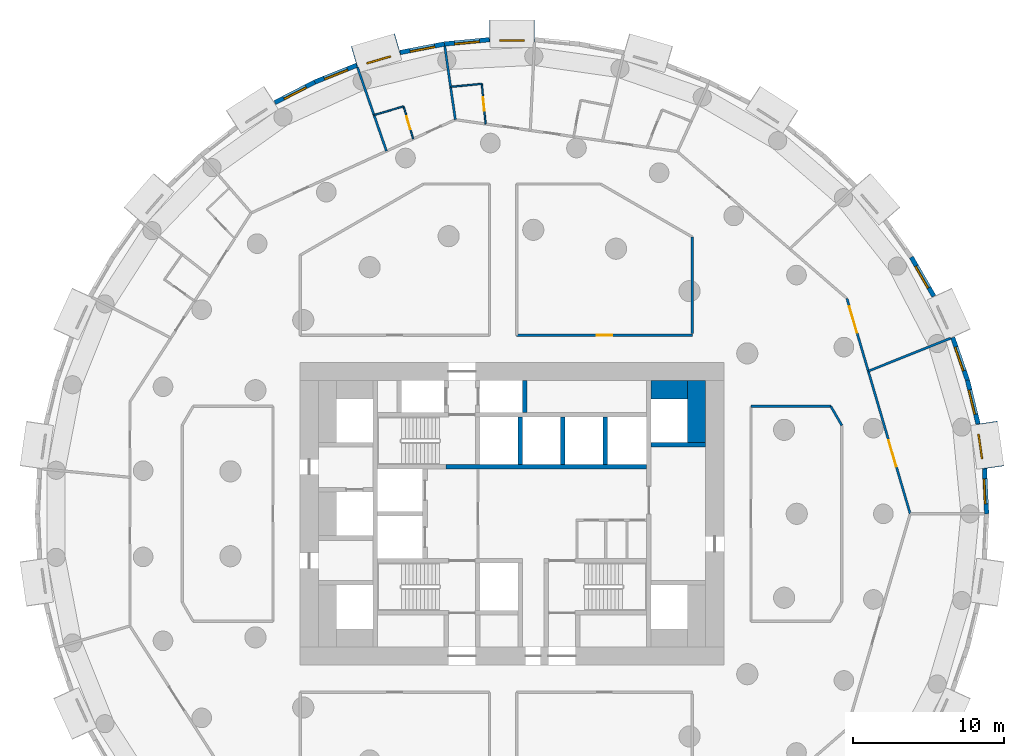
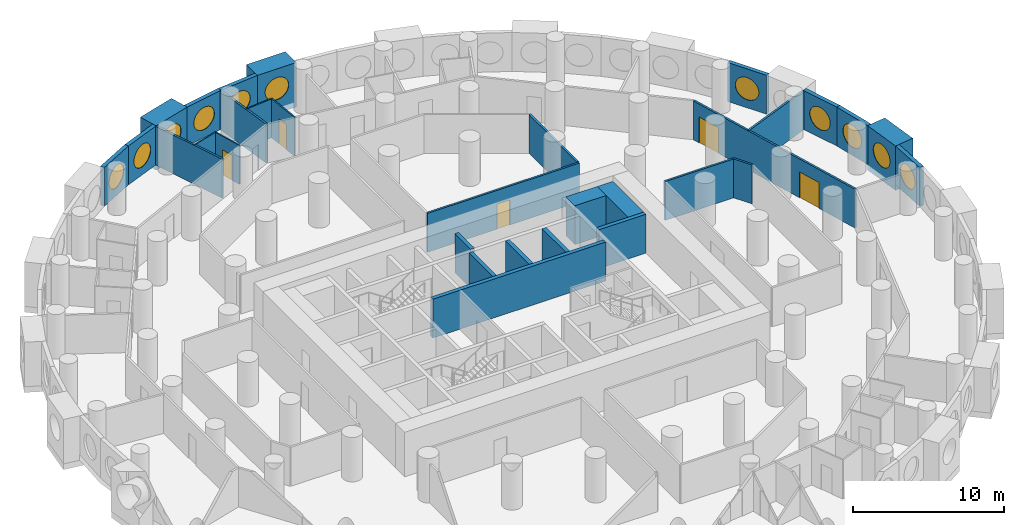
# One storey, part 8 of 11: 31 walls, 11 windows, 5 doors, 16 openings.
"""IFC4 building model written with IfcOpenShell, lengths in metres."""

from ifc_helpers import new_model, si_unit, direction, frame, frame_2d, origin, origin_2d, place, context, subcontext, project, spatial, rectangle, circle, extrude, material, layer, layer_set, type_object, element, fill, save


model = new_model("IFC4")

# Units and contexts
model_context = context("Model", 3, precision=1e-05, world=origin(), true_north=direction((0.0, 1.0)))
body_context = subcontext(model_context, "Body", "Model", "MODEL_VIEW")
ifc_project = project(units=[si_unit("LENGTHUNIT", "METRE"), si_unit("AREAUNIT", "SQUARE_METRE"), si_unit("VOLUMEUNIT", "CUBIC_METRE"), si_unit("PLANEANGLEUNIT", "RADIAN"), si_unit("MASSUNIT", "GRAM", prefix="KILO")], contexts=[model_context])

# Site, building, storey
site_placement = place(None, origin())
site = spatial("IfcSite", under=ifc_project, at=site_placement, CompositionType="ELEMENT")
building_placement = place(site_placement, origin())
building = spatial("IfcBuilding", under=site, at=building_placement, Name="Tracery Tower", CompositionType="ELEMENT")
storey_placement = place(building_placement, frame((0.0, 0.0, 100.199951171875)))
storey = spatial("IfcBuildingStorey", under=building, at=storey_placement, Name="L25", CompositionType="ELEMENT", Elevation=100.199951171875)

# Walls
ifc_material_1 = material(Name="Concrete C60/75", Category="concrete")
ifc_layer_1 = layer(ifc_material_1, 1.199951171875)
ifc_layer_set_1 = layer_set([ifc_layer_1], Name="Core strip wall 1200 C60")
wall_type_1 = type_object("IfcWallType", Name="Core strip wall 1200 C60", PredefinedType="SOLIDWALL", material=ifc_layer_set_1)
wall_1_placement = place(storey_placement, frame((12.199951171875, 4.699951171875, 0.0), z_axis=(0.0, 0.0, 1.0), x_axis=(0.0, 1.0, 0.0)))
element("IfcWall", 1, at=wall_1_placement, inside=storey, type_object=wall_type_1, Name="L25 wing strip +1 4.55", PredefinedType="SOLIDWALL", context=body_context, shape_type="SweptSolid", body=[
    extrude(rectangle(XDim=4.10009765625, YDim=1.199951171875, at=frame_2d((2.050048828125, 0.0))), origin(), (0.0, 0.0, 1.0), 3.150146484375),
])
wall_2_placement = place(storey_placement, frame((9.199951171875, 8.199951171875, 0.0), z_axis=(0.0, 0.0, 1.0), x_axis=(1.0, 0.0, 0.0)))
element("IfcWall", 2, at=wall_2_placement, inside=storey, type_object=wall_type_1, Name="L25 wing corner +1 +8.2", PredefinedType="SOLIDWALL", context=body_context, shape_type="SweptSolid", body=[
    extrude(rectangle(XDim=2.400146484375, YDim=1.199951171875, at=frame_2d((1.2001953125, 0.0))), origin(), (0.0, 0.0, 1.0), 3.150146484375),
])

# Wall, opening, window
ifc_material_2 = material(Name="Precast concrete C50/60", Category="concrete")
ifc_layer_2 = layer(ifc_material_2, 1.449951171875)
ifc_layer_set_2 = layer_set([ifc_layer_2], Name="Deep-set bay unit 3000 x 3600, slab edge 450")
wall_type_2 = type_object("IfcWallType", Name="Deep-set bay unit 3000 x 3600, slab edge 450", PredefinedType="ELEMENTEDWALL", material=ifc_layer_set_2)
wall_3_placement = place(storey_placement, frame((31.802490234375, 3.05712890625, -0.449951171875), z_axis=(0.0, 0.0, 1.0), x_axis=(-0.142332746704, 0.989818866872, 0.0)))
wall_3 = element("IfcWall", 3, at=wall_3_placement, inside=storey, type_object=wall_type_2, Name="Deep-set bay unit 2 at L25", PredefinedType="ELEMENTEDWALL", context=body_context, shape_type="SweptSolid", body=[
    extrude(rectangle(XDim=3.0, YDim=1.449951171875, at=frame_2d((1.5, 0.0))), origin(), (0.0, 0.0, 1.0), 3.60009765625),
])
opening_1_placement = place(wall_3_placement, frame((1.5, 0.0, 2.0)))
opening_1 = element("IfcOpeningElement", 4, at=opening_1_placement, cuts=wall_3, Name="Opening WN1", PredefinedType="OPENING", context=body_context, shape_type="SweptSolid", body=[
    extrude(circle(Radius=0.9000244140625, at=origin_2d()), frame((0.0, 0.73486328125, 0.0), z_axis=(0.0, -1.0, 0.0), x_axis=(1.0, 0.0, 0.0)), (0.0, 0.0, 1.0), 1.469970703125),
])
ifc_material_3 = material(Name="Aluminium frame with tinted double glazing", Category="aluminium")
window_type = type_object("IfcWindowType", Name="Round window 1800", PartitioningType="SINGLE_PANEL", PredefinedType="WINDOW", material=ifc_material_3)
window_1_placement = place(opening_1_placement, origin())
window_1 = element("IfcWindow", 5, at=window_1_placement, inside=storey, type_object=window_type, Name="Round window 2 at L25", OverallHeight=1.800048828125, OverallWidth=1.800048828125, PartitioningType="SINGLE_PANEL", PredefinedType="WINDOW", context=body_context, shape_type="SweptSolid", body=[
    extrude(circle(Radius=0.9000244140625, at=origin_2d()), frame((0.0, 0.69482421875, 0.0), z_axis=(0.0, -1.0, 0.0), x_axis=(1.0, 0.0, 0.0)), (0.0, 0.0, 1.0), 0.10009765625),
])
fill(opening_1, window_1)

wall_4_placement = place(storey_placement, frame((1.5, 31.913818359375, -0.449951171875), z_axis=(0.0, 0.0, 1.0), x_axis=(-1.0, 0.0, 0.0)))
wall_4 = element("IfcWall", 6, at=wall_4_placement, inside=storey, type_object=wall_type_2, Name="Deep-set bay unit 17 at L25", PredefinedType="ELEMENTEDWALL", context=body_context, shape_type="SweptSolid", body=[
    extrude(rectangle(XDim=3.0, YDim=1.449951171875, at=frame_2d((1.5, 0.0))), origin(), (0.0, 0.0, 1.0), 3.60009765625),
])
opening_2_placement = place(wall_4_placement, frame((1.5, 0.0, 2.0)))
opening_2 = element("IfcOpeningElement", 7, at=opening_2_placement, cuts=wall_4, Name="Opening WN1", PredefinedType="OPENING", context=body_context, shape_type="SweptSolid", body=[
    extrude(circle(Radius=0.9000244140625, at=origin_2d()), frame((0.0, 0.73486328125, 0.0), z_axis=(0.0, -1.0, 0.0), x_axis=(1.0, 0.0, 0.0)), (0.0, 0.0, 1.0), 1.469970703125),
])
window_2_placement = place(opening_2_placement, origin())
window_2 = element("IfcWindow", 8, at=window_2_placement, inside=storey, type_object=window_type, Name="Round window 17 at L25", OverallHeight=1.800048828125, OverallWidth=1.800048828125, PartitioningType="SINGLE_PANEL", PredefinedType="WINDOW", context=body_context, shape_type="SweptSolid", body=[
    extrude(circle(Radius=0.9000244140625, at=origin_2d()), frame((0.0, 0.69482421875, 0.0), z_axis=(0.0, -1.0, 0.0), x_axis=(1.0, 0.0, 0.0)), (0.0, 0.0, 1.0), 0.10009765625),
])
fill(opening_2, window_2)

wall_5_placement = place(storey_placement, frame((-7.552001953125, 31.043701171875, -0.449951171875), z_axis=(0.0, 0.0, 1.0), x_axis=(-0.959489813418, -0.281743319258, 0.0)))
wall_5 = element("IfcWall", 9, at=wall_5_placement, inside=storey, type_object=wall_type_2, Name="Deep-set bay unit 20 at L25", PredefinedType="ELEMENTEDWALL", context=body_context, shape_type="SweptSolid", body=[
    extrude(rectangle(XDim=3.0, YDim=1.449951171875, at=frame_2d((1.5, 0.0))), origin(), (0.0, 0.0, 1.0), 3.60009765625),
])
opening_3_placement = place(wall_5_placement, frame((1.5, 0.0, 2.0)))
opening_3 = element("IfcOpeningElement", 10, at=opening_3_placement, cuts=wall_5, Name="Opening WN1", PredefinedType="OPENING", context=body_context, shape_type="SweptSolid", body=[
    extrude(circle(Radius=0.9000244140625, at=origin_2d()), frame((0.0, 0.73486328125, 0.0), z_axis=(0.0, -1.0, 0.0), x_axis=(1.0, 0.0, 0.0)), (0.0, 0.0, 1.0), 1.469970703125),
])
window_3_placement = place(opening_3_placement, origin())
window_3 = element("IfcWindow", 11, at=window_3_placement, inside=storey, type_object=window_type, Name="Round window 20 at L25", OverallHeight=1.800048828125, OverallWidth=1.800048828125, PartitioningType="SINGLE_PANEL", PredefinedType="WINDOW", context=body_context, shape_type="SweptSolid", body=[
    extrude(circle(Radius=0.9000244140625, at=origin_2d()), frame((0.0, 0.69482421875, 0.0), z_axis=(0.0, -1.0, 0.0), x_axis=(1.0, 0.0, 0.0)), (0.0, 0.0, 1.0), 0.10009765625),
])
fill(opening_3, window_3)

ifc_material_4 = material(Name="Precast concrete C50/60", Category="concrete")
ifc_layer_3 = layer(ifc_material_4, 0.300048828125)
ifc_layer_set_3 = layer_set([ifc_layer_3], Name="Facade panel 3000 x 3150")
wall_type_3 = type_object("IfcWallType", Name="Facade panel 3000 x 3150", PredefinedType="SOLIDWALL", material=ifc_layer_set_3)
wall_6_placement = place(storey_placement, frame((31.37451171875, 0.0, 0.0), z_axis=(0.0, 0.0, 1.0), x_axis=(-0.047604077644, 0.998866283239, 0.0)))
wall_6 = element("IfcWall", 12, at=wall_6_placement, inside=storey, type_object=wall_type_3, Name="Facade panel 1 at L25", PredefinedType="SOLIDWALL", context=body_context, shape_type="SweptSolid", body=[
    extrude(rectangle(XDim=2.979736328125, YDim=0.300048828125, at=frame_2d((1.48974609375, 0.0))), origin(), (0.0, 0.0, 1.0), 3.150146484375),
])
opening_4_placement = place(wall_6_placement, frame((1.48974609375, 0.0, 1.5498046875)))
opening_4 = element("IfcOpeningElement", 13, at=opening_4_placement, cuts=wall_6, Name="Opening WN1", PredefinedType="OPENING", context=body_context, shape_type="SweptSolid", body=[
    extrude(circle(Radius=0.9000244140625, at=origin_2d()), frame((0.0, 0.159912109375, 0.0), z_axis=(0.0, -1.0, 0.0), x_axis=(1.0, 0.0, 0.0)), (0.0, 0.0, 1.0), 0.320068359375),
])
window_4_placement = place(opening_4_placement, origin())
window_4 = element("IfcWindow", 14, at=window_4_placement, inside=storey, type_object=window_type, Name="Round window 1 at L25", OverallHeight=1.800048828125, OverallWidth=1.800048828125, PartitioningType="SINGLE_PANEL", PredefinedType="WINDOW", context=body_context, shape_type="SweptSolid", body=[
    extrude(circle(Radius=0.9000244140625, at=origin_2d()), frame((0.0, 0.1201171875, 0.0), z_axis=(0.0, -1.0, 0.0), x_axis=(1.0, 0.0, 0.0)), (0.0, 0.0, 1.0), 0.10009765625),
])
fill(opening_4, window_4)

wall_7_placement = place(storey_placement, frame((30.805908203125, 5.943603515625, 0.0), z_axis=(0.0, 0.0, 1.0), x_axis=(-0.235743081534, 0.971815414319, 0.0)))
wall_7 = element("IfcWall", 15, at=wall_7_placement, inside=storey, type_object=wall_type_3, Name="Facade panel 3 at L25", PredefinedType="SOLIDWALL", context=body_context, shape_type="SweptSolid", body=[
    extrude(rectangle(XDim=2.9794921875, YDim=0.300048828125, at=frame_2d((1.48974609375, 0.0))), origin(), (0.0, 0.0, 1.0), 3.150146484375),
])
opening_5_placement = place(wall_7_placement, frame((1.48974609375, 0.0, 1.5498046875)))
opening_5 = element("IfcOpeningElement", 16, at=opening_5_placement, cuts=wall_7, Name="Opening WN1", PredefinedType="OPENING", context=body_context, shape_type="SweptSolid", body=[
    extrude(circle(Radius=0.9000244140625, at=origin_2d()), frame((0.0, 0.159912109375, 0.0), z_axis=(0.0, -1.0, 0.0), x_axis=(1.0, 0.0, 0.0)), (0.0, 0.0, 1.0), 0.320068359375),
])
window_5_placement = place(opening_5_placement, origin())
window_5 = element("IfcWindow", 17, at=window_5_placement, inside=storey, type_object=window_type, Name="Round window 3 at L25", OverallHeight=1.800048828125, OverallWidth=1.800048828125, PartitioningType="SINGLE_PANEL", PredefinedType="WINDOW", context=body_context, shape_type="SweptSolid", body=[
    extrude(circle(Radius=0.9000244140625, at=origin_2d()), frame((0.0, 0.1201171875, 0.0), z_axis=(0.0, -1.0, 0.0), x_axis=(1.0, 0.0, 0.0)), (0.0, 0.0, 1.0), 0.10009765625),
])
fill(opening_5, window_5)

wall_8_placement = place(storey_placement, frame((30.103515625, 8.839111328125, 0.0), z_axis=(0.0, 0.0, 1.0), x_axis=(-0.327071167136, 0.944999709856, 0.0)))
wall_8 = element("IfcWall", 18, at=wall_8_placement, inside=storey, type_object=wall_type_3, Name="Facade panel 4 at L25", PredefinedType="SOLIDWALL", context=body_context, shape_type="SweptSolid", body=[
    extrude(rectangle(XDim=2.979736328125, YDim=0.300048828125, at=frame_2d((1.48974609375, 0.0))), origin(), (0.0, 0.0, 1.0), 3.150146484375),
])
opening_6_placement = place(wall_8_placement, frame((1.48974609375, 0.0, 1.5498046875)))
opening_6 = element("IfcOpeningElement", 19, at=opening_6_placement, cuts=wall_8, Name="Opening WN1", PredefinedType="OPENING", context=body_context, shape_type="SweptSolid", body=[
    extrude(circle(Radius=0.9000244140625, at=origin_2d()), frame((0.0, 0.159912109375, 0.0), z_axis=(0.0, -1.0, 0.0), x_axis=(1.0, 0.0, 0.0)), (0.0, 0.0, 1.0), 0.320068359375),
])
window_6_placement = place(opening_6_placement, origin())
window_6 = element("IfcWindow", 20, at=window_6_placement, inside=storey, type_object=window_type, Name="Round window 4 at L25", OverallHeight=1.800048828125, OverallWidth=1.800048828125, PartitioningType="SINGLE_PANEL", PredefinedType="WINDOW", context=body_context, shape_type="SweptSolid", body=[
    extrude(circle(Radius=0.9000244140625, at=origin_2d()), frame((0.0, 0.1201171875, 0.0), z_axis=(0.0, -1.0, 0.0), x_axis=(1.0, 0.0, 0.0)), (0.0, 0.0, 1.0), 0.10009765625),
])
fill(opening_6, window_6)

wall_9_placement = place(storey_placement, frame((27.8837890625, 14.3818359375, 0.0), z_axis=(0.0, 0.0, 1.0), x_axis=(-0.500025049464, 0.866010940986, 0.0)))
wall_9 = element("IfcWall", 21, at=wall_9_placement, inside=storey, type_object=wall_type_3, Name="Facade panel 6 at L25", PredefinedType="SOLIDWALL", context=body_context, shape_type="SweptSolid", body=[
    extrude(rectangle(XDim=2.979736328125, YDim=0.300048828125, at=frame_2d((1.48974609375, 0.0))), origin(), (0.0, 0.0, 1.0), 3.150146484375),
])
opening_7_placement = place(wall_9_placement, frame((1.48974609375, 0.0, 1.5498046875)))
opening_7 = element("IfcOpeningElement", 22, at=opening_7_placement, cuts=wall_9, Name="Opening WN1", PredefinedType="OPENING", context=body_context, shape_type="SweptSolid", body=[
    extrude(circle(Radius=0.9000244140625, at=origin_2d()), frame((0.0, 0.159912109375, 0.0), z_axis=(0.0, -1.0, 0.0), x_axis=(1.0, 0.0, 0.0)), (0.0, 0.0, 1.0), 0.320068359375),
])
window_7_placement = place(opening_7_placement, origin())
window_7 = element("IfcWindow", 23, at=window_7_placement, inside=storey, type_object=window_type, Name="Round window 6 at L25", OverallHeight=1.800048828125, OverallWidth=1.800048828125, PartitioningType="SINGLE_PANEL", PredefinedType="WINDOW", context=body_context, shape_type="SweptSolid", body=[
    extrude(circle(Radius=0.9000244140625, at=origin_2d()), frame((0.0, 0.1201171875, 0.0), z_axis=(0.0, -1.0, 0.0), x_axis=(1.0, 0.0, 0.0)), (0.0, 0.0, 1.0), 0.10009765625),
])
fill(opening_7, window_7)

wall_10_placement = place(storey_placement, frame((-1.498779296875, 31.33837890625, 0.0), z_axis=(0.0, 0.0, 1.0), x_axis=(-0.995473351551, -0.095041077185, 0.0)))
wall_10 = element("IfcWall", 24, at=wall_10_placement, inside=storey, type_object=wall_type_3, Name="Facade panel 18 at L25", PredefinedType="SOLIDWALL", context=body_context, shape_type="SweptSolid", body=[
    extrude(rectangle(XDim=2.979736328125, YDim=0.300048828125, at=frame_2d((1.48974609375, 0.0))), origin(), (0.0, 0.0, 1.0), 3.150146484375),
])
opening_8_placement = place(wall_10_placement, frame((1.48974609375, 0.0, 1.5498046875)))
opening_8 = element("IfcOpeningElement", 25, at=opening_8_placement, cuts=wall_10, Name="Opening WN1", PredefinedType="OPENING", context=body_context, shape_type="SweptSolid", body=[
    extrude(circle(Radius=0.9000244140625, at=origin_2d()), frame((0.0, 0.159912109375, 0.0), z_axis=(0.0, -1.0, 0.0), x_axis=(1.0, 0.0, 0.0)), (0.0, 0.0, 1.0), 0.320068359375),
])
window_8_placement = place(opening_8_placement, origin())
window_8 = element("IfcWindow", 26, at=window_8_placement, inside=storey, type_object=window_type, Name="Round window 18 at L25", OverallHeight=1.800048828125, OverallWidth=1.800048828125, PartitioningType="SINGLE_PANEL", PredefinedType="WINDOW", context=body_context, shape_type="SweptSolid", body=[
    extrude(circle(Radius=0.9000244140625, at=origin_2d()), frame((0.0, 0.1201171875, 0.0), z_axis=(0.0, -1.0, 0.0), x_axis=(1.0, 0.0, 0.0)), (0.0, 0.0, 1.0), 0.10009765625),
])
fill(opening_8, window_8)

wall_11_placement = place(storey_placement, frame((-4.465087890625, 31.05517578125, 0.0), z_axis=(0.0, 0.0, 1.0), x_axis=(-0.981924535406, -0.189272836848, 0.0)))
wall_11 = element("IfcWall", 27, at=wall_11_placement, inside=storey, type_object=wall_type_3, Name="Facade panel 19 at L25", PredefinedType="SOLIDWALL", context=body_context, shape_type="SweptSolid", body=[
    extrude(rectangle(XDim=2.979736328125, YDim=0.300048828125, at=frame_2d((1.48974609375, 0.0))), origin(), (0.0, 0.0, 1.0), 3.150146484375),
])
opening_9_placement = place(wall_11_placement, frame((1.48974609375, 0.0, 1.5498046875)))
opening_9 = element("IfcOpeningElement", 28, at=opening_9_placement, cuts=wall_11, Name="Opening WN1", PredefinedType="OPENING", context=body_context, shape_type="SweptSolid", body=[
    extrude(circle(Radius=0.9000244140625, at=origin_2d()), frame((0.0, 0.159912109375, 0.0), z_axis=(0.0, -1.0, 0.0), x_axis=(1.0, 0.0, 0.0)), (0.0, 0.0, 1.0), 0.320068359375),
])
window_9_placement = place(opening_9_placement, origin())
window_9 = element("IfcWindow", 29, at=window_9_placement, inside=storey, type_object=window_type, Name="Round window 19 at L25", OverallHeight=1.800048828125, OverallWidth=1.800048828125, PartitioningType="SINGLE_PANEL", PredefinedType="WINDOW", context=body_context, shape_type="SweptSolid", body=[
    extrude(circle(Radius=0.9000244140625, at=origin_2d()), frame((0.0, 0.1201171875, 0.0), z_axis=(0.0, -1.0, 0.0), x_axis=(1.0, 0.0, 0.0)), (0.0, 0.0, 1.0), 0.10009765625),
])
fill(opening_9, window_9)

wall_12_placement = place(storey_placement, frame((-10.26708984375, 29.646484375, 0.0), z_axis=(0.0, 0.0, 1.0), x_axis=(-0.928403213937, -0.371574316054, 0.0)))
wall_12 = element("IfcWall", 30, at=wall_12_placement, inside=storey, type_object=wall_type_3, Name="Facade panel 21 at L25", PredefinedType="SOLIDWALL", context=body_context, shape_type="SweptSolid", body=[
    extrude(rectangle(XDim=2.979736328125, YDim=0.300048828125, at=frame_2d((1.48974609375, 0.0))), origin(), (0.0, 0.0, 1.0), 3.150146484375),
])
opening_10_placement = place(wall_12_placement, frame((1.48974609375, 0.0, 1.5498046875)))
opening_10 = element("IfcOpeningElement", 31, at=opening_10_placement, cuts=wall_12, Name="Opening WN1", PredefinedType="OPENING", context=body_context, shape_type="SweptSolid", body=[
    extrude(circle(Radius=0.9000244140625, at=origin_2d()), frame((0.0, 0.159912109375, 0.0), z_axis=(0.0, -1.0, 0.0), x_axis=(1.0, 0.0, 0.0)), (0.0, 0.0, 1.0), 0.320068359375),
])
window_10_placement = place(opening_10_placement, origin())
window_10 = element("IfcWindow", 32, at=window_10_placement, inside=storey, type_object=window_type, Name="Round window 21 at L25", OverallHeight=1.800048828125, OverallWidth=1.800048828125, PartitioningType="SINGLE_PANEL", PredefinedType="WINDOW", context=body_context, shape_type="SweptSolid", body=[
    extrude(circle(Radius=0.9000244140625, at=origin_2d()), frame((0.0, 0.1201171875, 0.0), z_axis=(0.0, -1.0, 0.0), x_axis=(1.0, 0.0, 0.0)), (0.0, 0.0, 1.0), 0.10009765625),
])
fill(opening_10, window_10)

wall_13_placement = place(storey_placement, frame((-13.033447265625, 28.539306640625, 0.0), z_axis=(0.0, 0.0, 1.0), x_axis=(-0.888819853856, -0.458256770153, 0.0)))
wall_13 = element("IfcWall", 33, at=wall_13_placement, inside=storey, type_object=wall_type_3, Name="Facade panel 22 at L25", PredefinedType="SOLIDWALL", context=body_context, shape_type="SweptSolid", body=[
    extrude(rectangle(XDim=2.979736328125, YDim=0.300048828125, at=frame_2d((1.48974609375, 0.0))), origin(), (0.0, 0.0, 1.0), 3.150146484375),
])
opening_11_placement = place(wall_13_placement, frame((1.48974609375, 0.0, 1.5498046875)))
opening_11 = element("IfcOpeningElement", 34, at=opening_11_placement, cuts=wall_13, Name="Opening WN1", PredefinedType="OPENING", context=body_context, shape_type="SweptSolid", body=[
    extrude(circle(Radius=0.9000244140625, at=origin_2d()), frame((0.0, 0.159912109375, 0.0), z_axis=(0.0, -1.0, 0.0), x_axis=(1.0, 0.0, 0.0)), (0.0, 0.0, 1.0), 0.320068359375),
])
window_11_placement = place(opening_11_placement, origin())
window_11 = element("IfcWindow", 35, at=window_11_placement, inside=storey, type_object=window_type, Name="Round window 22 at L25", OverallHeight=1.800048828125, OverallWidth=1.800048828125, PartitioningType="SINGLE_PANEL", PredefinedType="WINDOW", context=body_context, shape_type="SweptSolid", body=[
    extrude(circle(Radius=0.9000244140625, at=origin_2d()), frame((0.0, 0.1201171875, 0.0), z_axis=(0.0, -1.0, 0.0), x_axis=(1.0, 0.0, 0.0)), (0.0, 0.0, 1.0), 0.10009765625),
])
fill(opening_11, window_11)

# Wall, opening, door
ifc_material_5 = material(Name="Plasterboard on steel studs", Category="steel")
ifc_layer_4 = layer(ifc_material_5, 0.10009765625)
ifc_layer_set_4 = layer_set([ifc_layer_4], Name="Partition 100 wet wall")
wall_type_4 = type_object("IfcWallType", Name="Partition 100 wet wall", PredefinedType="PARTITIONING", material=ifc_layer_set_4)
wall_14_placement = place(storey_placement, frame((-1.99609375, 28.41796875, 0.0), z_axis=(0.0, 0.0, 1.0), x_axis=(0.094925726797, -0.995484357683, 0.0)))
wall_14 = element("IfcWall", 36, at=wall_14_placement, inside=storey, type_object=wall_type_4, Name="Wet wall RA7-056", PredefinedType="PARTITIONING", context=body_context, shape_type="SweptSolid", body=[
    extrude(rectangle(XDim=2.6669921875, YDim=0.10009765625, at=frame_2d((1.33349609375, 0.0))), origin(), (0.0, 0.0, 1.0), 3.150146484375),
])
opening_12_placement = place(wall_14_placement, frame((0.883056640625, 0.0, 0.0)))
opening_12 = element("IfcOpeningElement", 37, at=opening_12_placement, cuts=wall_14, Name="Opening RA7-14", PredefinedType="OPENING", context=body_context, shape_type="SweptSolid", body=[
    extrude(rectangle(XDim=0.89990234375, YDim=2.0400390625, at=frame_2d((0.449951171875, 1.02001953125))), frame((0.0, 0.050048828125, 0.0), z_axis=(0.0, -1.0, 0.0), x_axis=(1.0, 0.0, 0.0)), (0.0, 0.0, 1.0), 0.10009765625),
])
ifc_material_6 = material(Name="Timber door leaf", Category="wood")
door_type_1 = type_object("IfcDoorType", Name="Door en-suite 900", OperationType="NOTDEFINED", PredefinedType="DOOR", material=ifc_material_6)
door_1_placement = place(opening_12_placement, origin())
door_1 = element("IfcDoor", 38, at=door_1_placement, inside=storey, type_object=door_type_1, Name="En-suite door RA7-14", OperationType="SINGLE_SWING_RIGHT", OverallHeight=2.0400390625, OverallWidth=0.89990234375, PredefinedType="DOOR", context=body_context, shape_type="SweptSolid", body=[
    extrude(rectangle(XDim=0.89990234375, YDim=2.0400390625, at=frame_2d((0.449951171875, 1.02001953125))), frame((0.0, 0.02490234375, 0.0), z_axis=(0.0, -1.0, 0.0), x_axis=(1.0, 0.0, 0.0)), (0.0, 0.0, 1.0), 0.050048828125),
])
fill(opening_12, door_1)

# Wall
wall_15_placement = place(storey_placement, frame((-4.05810546875, 28.220947265625, 0.0), z_axis=(0.0, 0.0, 1.0), x_axis=(0.995466291052, 0.095115000814, 0.0)))
element("IfcWall", 39, at=wall_15_placement, inside=storey, type_object=wall_type_4, Name="Wet wall RA7-057", PredefinedType="PARTITIONING", context=body_context, shape_type="SweptSolid", body=[
    extrude(rectangle(XDim=2.0712890625, YDim=0.10009765625, at=frame_2d((1.03564453125, 0.0))), origin(), (0.0, 0.0, 1.0), 3.150146484375),
])

# Wall, opening, door
wall_16_placement = place(storey_placement, frame((-7.1630859375, 26.929931640625, 0.0), z_axis=(0.0, 0.0, 1.0), x_axis=(0.281948165188, -0.959429638977, 0.0)))
wall_16 = element("IfcWall", 40, at=wall_16_placement, inside=storey, type_object=wall_type_4, Name="Wet wall RA7-059", PredefinedType="PARTITIONING", context=body_context, shape_type="SweptSolid", body=[
    extrude(rectangle(XDim=2.241943359375, YDim=0.10009765625, at=frame_2d((1.12109375, 0.0))), origin(), (0.0, 0.0, 1.0), 3.150146484375),
])
opening_13_placement = place(wall_16_placement, frame((0.6708984375, 0.0, 0.0)))
opening_13 = element("IfcOpeningElement", 41, at=opening_13_placement, cuts=wall_16, Name="Opening RA7-16", PredefinedType="OPENING", context=body_context, shape_type="SweptSolid", body=[
    extrude(rectangle(XDim=0.89990234375, YDim=2.0400390625, at=frame_2d((0.449951171875, 1.02001953125))), frame((0.0, 0.050048828125, 0.0), z_axis=(0.0, -1.0, 0.0), x_axis=(1.0, 0.0, 0.0)), (0.0, 0.0, 1.0), 0.10009765625),
])
door_2_placement = place(opening_13_placement, origin())
door_2 = element("IfcDoor", 42, at=door_2_placement, inside=storey, type_object=door_type_1, Name="En-suite door RA7-16", OperationType="SINGLE_SWING_RIGHT", OverallHeight=2.0400390625, OverallWidth=0.89990234375, PredefinedType="DOOR", context=body_context, shape_type="SweptSolid", body=[
    extrude(rectangle(XDim=0.89990234375, YDim=2.0400390625, at=frame_2d((0.449951171875, 1.02001953125))), frame((0.0, 0.02490234375, 0.0), z_axis=(0.0, -1.0, 0.0), x_axis=(1.0, 0.0, 0.0)), (0.0, 0.0, 1.0), 0.050048828125),
])
fill(opening_13, door_2)

# Walls
wall_17_placement = place(storey_placement, frame((-9.12109375, 26.35498046875, 0.0), z_axis=(0.0, 0.0, 1.0), x_axis=(0.95948923736, 0.281745281045, 0.0)))
element("IfcWall", 43, at=wall_17_placement, inside=storey, type_object=wall_type_4, Name="Wet wall RA7-060", PredefinedType="PARTITIONING", context=body_context, shape_type="SweptSolid", body=[
    extrude(rectangle(XDim=2.040771484375, YDim=0.10009765625, at=frame_2d((1.0205078125, 0.0))), origin(), (0.0, 0.0, 1.0), 3.150146484375),
])
ifc_material_7 = material(Name="Plasterboard on steel studs", Category="steel")
ifc_layer_5 = layer(ifc_material_7, 0.14990234375)
ifc_layer_set_5 = layer_set([ifc_layer_5], Name="Partition 150 acoustic unit wall")
wall_type_5 = type_object("IfcWallType", Name="Partition 150 acoustic unit wall", PredefinedType="PARTITIONING", material=ifc_layer_set_5)
wall_18_placement = place(storey_placement, frame((23.550048828125, 9.427978515625, 0.0), z_axis=(0.0, 0.0, 1.0), x_axis=(0.9283702981, 0.371656547911, 0.0)))
element("IfcWall", 44, at=wall_18_placement, inside=storey, type_object=wall_type_5, Name="Unit wall RA7-046", PredefinedType="PARTITIONING", context=body_context, shape_type="SweptSolid", body=[
    extrude(rectangle(XDim=5.857666015625, YDim=0.14990234375, at=frame_2d((2.9287109375, 0.0))), origin(), (0.0, 0.0, 1.0), 3.150146484375),
])
wall_19_placement = place(storey_placement, frame((-4.444091796875, 30.906005859375, 0.0), z_axis=(0.0, 0.0, 1.0), x_axis=(0.142306296561, -0.989822669956, 0.0)))
element("IfcWall", 45, at=wall_19_placement, inside=storey, type_object=wall_type_5, Name="Unit wall RA7-058", PredefinedType="PARTITIONING", context=body_context, shape_type="SweptSolid", body=[
    extrude(rectangle(XDim=4.90478515625, YDim=0.14990234375, at=frame_2d((2.452392578125, 0.0))), origin(), (0.0, 0.0, 1.0), 3.150146484375),
])
wall_20_placement = place(storey_placement, frame((-10.2119140625, 29.507080078125, 0.0), z_axis=(0.0, 0.0, 1.0), x_axis=(0.327061884856, -0.945002922469, 0.0)))
element("IfcWall", 46, at=wall_20_placement, inside=storey, type_object=wall_type_5, Name="Unit wall RA7-061", PredefinedType="PARTITIONING", context=body_context, shape_type="SweptSolid", body=[
    extrude(rectangle(XDim=5.856689453125, YDim=0.14990234375, at=frame_2d((2.92822265625, 0.0))), origin(), (0.0, 0.0, 1.0), 3.150146484375),
])

# Wall, opening, door
ifc_material_8 = material(Name="Plasterboard on steel studs", Category="steel")
ifc_layer_6 = layer(ifc_material_8, 0.14990234375)
ifc_layer_set_6 = layer_set([ifc_layer_6], Name="Partition 150 corridor wall")
wall_type_6 = type_object("IfcWallType", Name="Partition 150 corridor wall", PredefinedType="PARTITIONING", material=ifc_layer_set_6)
wall_21_placement = place(storey_placement, frame((0.305908203125, 11.800048828125, 0.0), z_axis=(0.0, 0.0, 1.0), x_axis=(1.0, 0.0, 0.0)))
wall_21 = element("IfcWall", 47, at=wall_21_placement, inside=storey, type_object=wall_type_6, Name="Corridor wall RA7-002", PredefinedType="PARTITIONING", context=body_context, shape_type="SweptSolid", body=[
    extrude(rectangle(XDim=11.6181640625, YDim=0.14990234375, at=frame_2d((5.80908203125, 0.0))), origin(), (0.0, 0.0, 1.0), 3.150146484375),
])
opening_14_placement = place(wall_21_placement, frame((5.30908203125, 0.0, 0.0)))
opening_14 = element("IfcOpeningElement", 48, at=opening_14_placement, cuts=wall_21, Name="Opening RA7-02", PredefinedType="OPENING", context=body_context, shape_type="SweptSolid", body=[
    extrude(rectangle(XDim=1.0, YDim=2.0400390625, at=frame_2d((0.5, 1.02001953125))), frame((0.0, 0.074951171875, 0.0), z_axis=(0.0, -1.0, 0.0), x_axis=(1.0, 0.0, 0.0)), (0.0, 0.0, 1.0), 0.14990234375),
])
ifc_material_9 = material(Name="Timber door leaf", Category="wood")
door_type_2 = type_object("IfcDoorType", Name="Door communal room 1000", OperationType="NOTDEFINED", PredefinedType="DOOR", material=ifc_material_9)
door_3_placement = place(opening_14_placement, origin())
door_3 = element("IfcDoor", 49, at=door_3_placement, inside=storey, type_object=door_type_2, Name="Communal room door RA7-02", OperationType="SINGLE_SWING_RIGHT", OverallHeight=2.0400390625, OverallWidth=1.0, PredefinedType="DOOR", context=body_context, shape_type="SweptSolid", body=[
    extrude(rectangle(XDim=1.0, YDim=2.0400390625, at=frame_2d((0.5, 1.02001953125))), frame((0.0, 0.02490234375, 0.0), z_axis=(0.0, -1.0, 0.0), x_axis=(1.0, 0.0, 0.0)), (0.0, 0.0, 1.0), 0.050048828125),
])
fill(opening_14, door_3)

# Walls
wall_22_placement = place(storey_placement, frame((21.075927734375, 7.10009765625, 0.0), z_axis=(0.0, 0.0, 1.0), x_axis=(0.499863102386, -0.866104427234, 0.0)))
element("IfcWall", 50, at=wall_22_placement, inside=storey, type_object=wall_type_6, Name="Corridor wall RA7-010", PredefinedType="PARTITIONING", context=body_context, shape_type="SweptSolid", body=[
    extrude(rectangle(XDim=1.45263671875, YDim=0.14990234375, at=frame_2d((0.726318359375, 0.0))), origin(), (0.0, 0.0, 1.0), 3.150146484375),
])
wall_23_placement = place(storey_placement, frame((15.800048828125, 7.10009765625, 0.0), z_axis=(0.0, 0.0, 1.0), x_axis=(1.0, 0.0, 0.0)))
element("IfcWall", 51, at=wall_23_placement, inside=storey, type_object=wall_type_6, Name="Corridor wall RA7-011", PredefinedType="PARTITIONING", context=body_context, shape_type="SweptSolid", body=[
    extrude(rectangle(XDim=5.27587890625, YDim=0.14990234375, at=frame_2d((2.637939453125, 0.0))), origin(), (0.0, 0.0, 1.0), 3.150146484375),
])

# Wall, openings, doors
wall_24_placement = place(storey_placement, frame((22.140380859375, 14.228759765625, 0.0), z_axis=(0.0, 0.0, 1.0), x_axis=(0.281780364869, -0.959478934617, 0.0)))
wall_24 = element("IfcWall", 52, at=wall_24_placement, inside=storey, type_object=wall_type_6, Name="Corridor wall RA7-012", PredefinedType="PARTITIONING", context=body_context, shape_type="SweptSolid", body=[
    extrude(rectangle(XDim=14.82958984375, YDim=0.14990234375, at=frame_2d((7.414794921875, 0.0))), origin(), (0.0, 0.0, 1.0), 3.150146484375),
])
opening_15_placement = place(wall_24_placement, frame((9.764404296875, 0.0, 0.0)))
opening_15 = element("IfcOpeningElement", 53, at=opening_15_placement, cuts=wall_24, Name="Opening RA7-07", PredefinedType="OPENING", context=body_context, shape_type="SweptSolid", body=[
    extrude(rectangle(XDim=1.800048828125, YDim=2.10009765625, at=frame_2d((0.89990234375, 1.050048828125))), frame((0.0, 0.074951171875, 0.0), z_axis=(0.0, -1.0, 0.0), x_axis=(1.0, 0.0, 0.0)), (0.0, 0.0, 1.0), 0.14990234375),
])
opening_16_placement = place(wall_24_placement, frame((0.553955078125, 0.0, 0.0)))
opening_16 = element("IfcOpeningElement", 54, at=opening_16_placement, cuts=wall_24, Name="Opening RA7-08", PredefinedType="OPENING", context=body_context, shape_type="SweptSolid", body=[
    extrude(rectangle(XDim=1.800048828125, YDim=2.10009765625, at=frame_2d((0.89990234375, 1.050048828125))), frame((0.0, 0.074951171875, 0.0), z_axis=(0.0, -1.0, 0.0), x_axis=(1.0, 0.0, 0.0)), (0.0, 0.0, 1.0), 0.14990234375),
])
ifc_material_10 = material(Name="Timber door leaf", Category="wood")
door_type_3 = type_object("IfcDoorType", Name="Door double lounge 1800", OperationType="NOTDEFINED", PredefinedType="DOOR", material=ifc_material_10)
door_4_placement = place(opening_15_placement, origin())
door_4 = element("IfcDoor", 55, at=door_4_placement, inside=storey, type_object=door_type_3, Name="Double lounge door RA7-07", OperationType="DOUBLE_DOOR_SINGLE_SWING", OverallHeight=2.10009765625, OverallWidth=1.800048828125, PredefinedType="DOOR", context=body_context, shape_type="SweptSolid", body=[
    extrude(rectangle(XDim=1.800048828125, YDim=2.10009765625, at=frame_2d((0.89990234375, 1.050048828125))), frame((0.0, 0.02490234375, 0.0), z_axis=(0.0, -1.0, 0.0), x_axis=(1.0, 0.0, 0.0)), (0.0, 0.0, 1.0), 0.050048828125),
])
fill(opening_15, door_4)
door_5_placement = place(opening_16_placement, origin())
door_5 = element("IfcDoor", 56, at=door_5_placement, inside=storey, type_object=door_type_3, Name="Double lounge door RA7-08", OperationType="DOUBLE_DOOR_SINGLE_SWING", OverallHeight=2.10009765625, OverallWidth=1.800048828125, PredefinedType="DOOR", context=body_context, shape_type="SweptSolid", body=[
    extrude(rectangle(XDim=1.800048828125, YDim=2.10009765625, at=frame_2d((0.89990234375, 1.050048828125))), frame((0.0, 0.02490234375, 0.0), z_axis=(0.0, -1.0, 0.0), x_axis=(1.0, 0.0, 0.0)), (0.0, 0.0, 1.0), 0.050048828125),
])
fill(opening_16, door_5)

# Walls
wall_25_placement = place(storey_placement, frame((11.919921875, 11.919921875, 0.0), z_axis=(0.0, 0.0, 1.0), x_axis=(0.0, 1.0, 0.0)))
element("IfcWall", 57, at=wall_25_placement, inside=storey, type_object=wall_type_6, Name="Corridor wall RA7-020", PredefinedType="PARTITIONING", context=body_context, shape_type="SweptSolid", body=[
    extrude(rectangle(XDim=6.373046875, YDim=0.14990234375, at=frame_2d((3.1865234375, 0.0))), origin(), (0.0, 0.0, 1.0), 3.150146484375),
])
ifc_material_11 = material(Name="Concrete C60/75", Category="concrete")
ifc_layer_7 = layer(ifc_material_11, 0.300048828125)
ifc_layer_set_7 = layer_set([ifc_layer_7], Name="Shaft wall 300 C60")
wall_type_7 = type_object("IfcWallType", Name="Shaft wall 300 C60", PredefinedType="SOLIDWALL", material=ifc_layer_set_7)
for number, where, z_axis, x_axis, name in (
    (58, (0.550048828125, 3.25, 0.0), (0.0, 0.0, 1.0), (0.0, 1.0, 0.0), "L25 HR sep 1"),
    (59, (3.35009765625, 3.25, 0.0), (0.0, 0.0, 1.0), (0.0, 1.0, 0.0), "L25 HR sep 2"),
    (60, (6.14990234375, 3.25, 0.0), (0.0, 0.0, 1.0), (0.0, 1.0, 0.0), "L25 HR sep 3"),
):
    element("IfcWall", number, at=place(storey_placement, frame(where, z_axis=z_axis, x_axis=x_axis)), inside=storey, type_object=wall_type_7, Name=name, PredefinedType="SOLIDWALL", context=body_context, shape_type="SweptSolid", body=[
        extrude(rectangle(XDim=3.14990234375, YDim=0.300048828125, at=frame_2d((1.574951171875, 0.0))), origin(), (0.0, 0.0, 1.0), 3.150146484375),
    ])
wall_26_placement = place(storey_placement, frame((0.85009765625, 6.699951171875, 0.0), z_axis=(0.0, 0.0, 1.0), x_axis=(0.0, 1.0, 0.0)))
element("IfcWall", 61, at=wall_26_placement, inside=storey, type_object=wall_type_7, Name="L25 LR sep 0.85", PredefinedType="SOLIDWALL", context=body_context, shape_type="SweptSolid", body=[
    extrude(rectangle(XDim=2.10009765625, YDim=0.300048828125, at=frame_2d((1.050048828125, 0.0))), origin(), (0.0, 0.0, 1.0), 3.150146484375),
])
wall_27_placement = place(storey_placement, frame((9.199951171875, 4.550048828125, 0.0), z_axis=(0.0, 0.0, 1.0), x_axis=(1.0, 0.0, 0.0)))
element("IfcWall", 62, at=wall_27_placement, inside=storey, type_object=wall_type_7, Name="L25 wing shaft wall +1 +4.55", PredefinedType="SOLIDWALL", context=body_context, shape_type="SweptSolid", body=[
    extrude(rectangle(XDim=3.60009765625, YDim=0.300048828125, at=frame_2d((1.800048828125, 0.0))), origin(), (0.0, 0.0, 1.0), 3.150146484375),
])
ifc_material_12 = material(Name="Concrete C60/75", Category="concrete")
ifc_layer_8 = layer(ifc_material_12, 0.300048828125)
ifc_layer_set_8 = layer_set([ifc_layer_8], Name="Stair wall 300 C60")
wall_type_8 = type_object("IfcWallType", Name="Stair wall 300 C60", PredefinedType="SOLIDWALL", material=ifc_layer_set_8)
wall_28_placement = place(storey_placement, frame((-4.35009765625, 3.10009765625, 0.0), z_axis=(0.0, 0.0, 1.0), x_axis=(1.0, 0.0, 0.0)))
element("IfcWall", 63, at=wall_28_placement, inside=storey, type_object=wall_type_8, Name="L25 row N", PredefinedType="SOLIDWALL", context=body_context, shape_type="SweptSolid", body=[
    extrude(rectangle(XDim=13.25, YDim=0.300048828125, at=frame_2d((6.625, 0.0))), origin(), (0.0, 0.0, 1.0), 3.150146484375),
])

save(model, "model.ifc")
